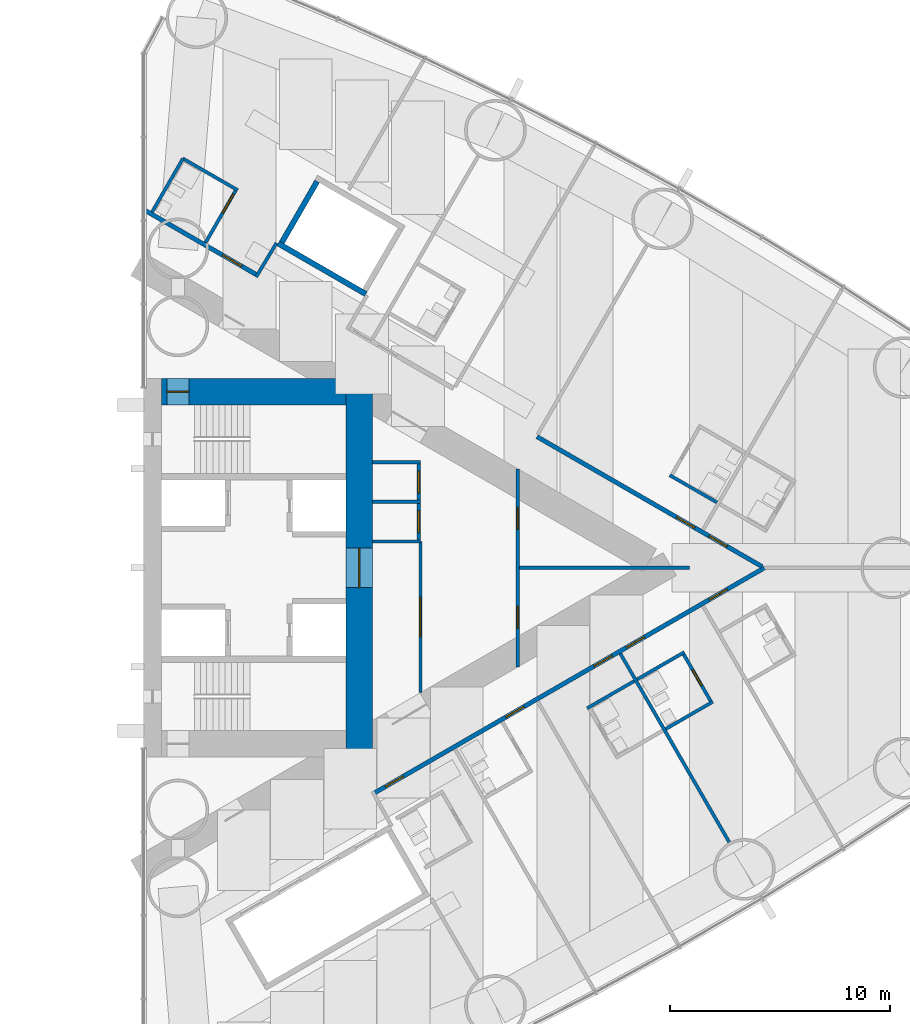
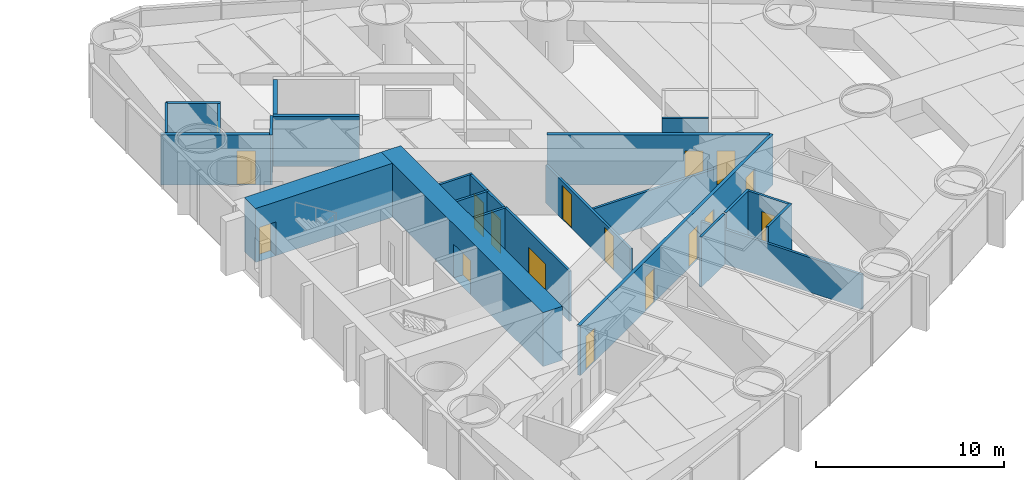
# One storey, part 14 of 18: 25 walls, 17 doors, 17 openings.
"""IFC4 building model written with IfcOpenShell, lengths in metres."""

import ifcopenshell
import ifcopenshell.guid

model = None  # the IFC model being written
_history = None  # IfcOwnerHistory: only IFC2X3 demands one
_inside = {}  # id of a spatial element -> (the spatial element, [elements in it])
_under = {}  # id of a project, library or spatial element -> (it, [spatial elements below it])
_declared = {}  # id of a project -> (the project, [libraries it declares])
_typed = {}  # id of a type object -> (the type object, [elements of that type])
_made_of = {}  # id of a material, layer set ... -> (it, [elements and type objects made of it])


def new_model(schema):
    """Start an empty IFC model of exactly this schema.

    Asked for "IFC4X3", IfcOpenShell would pick the latest addendum, in which some entities
    have other attributes; the version numbers below select the first issue.
    IFC2X3 requires an IfcOwnerHistory on every rooted entity: one is made here for all.
    """
    global model, _history
    if schema == "IFC4X3":
        model = ifcopenshell.file(schema_version=(4, 3, 0, 0))
    else:
        model = ifcopenshell.file(schema=schema)
    _inside.clear()
    _under.clear()
    _declared.clear()
    _typed.clear()
    _made_of.clear()
    _history = None
    if model.schema == "IFC2X3":
        org = make("IfcOrganization", Name="unknown")
        user = make(
            "IfcPersonAndOrganization",
            ThePerson=make("IfcPerson", FamilyName="unknown"),
            TheOrganization=org,
        )
        app = make(
            "IfcApplication",
            ApplicationDeveloper=org,
            Version="unknown",
            ApplicationFullName="unknown",
            ApplicationIdentifier="unknown",
        )
        _history = make(
            "IfcOwnerHistory",
            OwningUser=user,
            OwningApplication=app,
            ChangeAction="ADDED",
            CreationDate=0,
        )
    return model


def make(cls, **values):
    """One entity of the class cls with the attributes given. An attribute that is None is left unset."""
    return model.create_entity(
        cls, **{name: value for name, value in values.items() if value is not None}
    )


def rooted(cls, **values):
    """An entity with a GlobalId (a new one), such as an element, a storey or a relation."""
    return make(cls, GlobalId=ifcopenshell.guid.new(), OwnerHistory=_history, **values)


def si_unit(unit_type, name, prefix=None):
    """IfcSIUnit, for example si_unit("LENGTHUNIT", "METRE", prefix="MILLI")."""
    return make("IfcSIUnit", UnitType=unit_type, Prefix=prefix, Name=name)


def assignment(units):
    """IfcUnitAssignment: the units of a project."""
    return None if units is None else make("IfcUnitAssignment", Units=units)


def point(xyz):
    """IfcCartesianPoint."""
    return None if xyz is None else make("IfcCartesianPoint", Coordinates=xyz)


def direction(xyz):
    """IfcDirection."""
    return None if xyz is None else make("IfcDirection", DirectionRatios=xyz)


def frame(location, z_axis=None, x_axis=None):
    """IfcAxis2Placement3D, a coordinate frame: its origin and axes. An axis left out is left unset."""
    return make(
        "IfcAxis2Placement3D",
        Location=point(location),
        Axis=direction(z_axis),
        RefDirection=direction(x_axis),
    )


def frame_2d(location, x_axis=None):
    """IfcAxis2Placement2D, a coordinate frame in the plane: its origin and x axis."""
    return make(
        "IfcAxis2Placement2D", Location=point(location), RefDirection=direction(x_axis)
    )


def origin():
    """The frame at (0, 0, 0) with its axes left unset."""
    return frame((0.0, 0.0, 0.0))


def place(relative_to, where):
    """IfcLocalPlacement: puts the frame where relative to a parent placement (None: the world)."""
    return make(
        "IfcLocalPlacement", PlacementRelTo=relative_to, RelativePlacement=where
    )


def context(
    kind, dimensions, precision=None, world=None, true_north=None, identifier=None
):
    """IfcGeometricRepresentationContext, for example the 3D "Model" context."""
    return make(
        "IfcGeometricRepresentationContext",
        ContextIdentifier=identifier,
        ContextType=kind,
        CoordinateSpaceDimension=dimensions,
        Precision=precision,
        WorldCoordinateSystem=world,
        TrueNorth=true_north,
    )


def subcontext(parent, identifier, kind, view, scale=None):
    """IfcGeometricRepresentationSubContext, for example "Body" below "Model"."""
    return make(
        "IfcGeometricRepresentationSubContext",
        ContextIdentifier=identifier,
        ContextType=kind,
        ParentContext=parent,
        TargetScale=scale,
        TargetView=view,
    )


def project(units=None, contexts=None):
    """IfcProject with its units and contexts."""
    return rooted(
        "IfcProject",
        Name="project",
        RepresentationContexts=contexts,
        UnitsInContext=assignment(units),
    )


def spatial(cls, under=None, at=None, **own):
    """A site, building, storey or space (cls), placed at a placement, below another one or the project."""
    s = rooted(cls, ObjectPlacement=at, **own)
    if under is not None:
        _under.setdefault(under.id(), (under, []))[1].append(s)
    return s


def profile(cls, at=None, kind="AREA", **sizes):
    """A parametric profile (cls). Its sizes go by their IFC names, for example OverallWidth=200.0."""
    return make(cls, ProfileType=kind, Position=at, **sizes)


def rectangle(**sizes):
    """IfcRectangleProfileDef."""
    return profile("IfcRectangleProfileDef", **sizes)


def extrude(swept, where, along, depth):
    """IfcExtrudedAreaSolid: the profile swept, set in the frame where, extruded along a direction by depth."""
    return make(
        "IfcExtrudedAreaSolid",
        SweptArea=swept,
        Position=where,
        ExtrudedDirection=direction(along),
        Depth=depth,
    )


def shape(context_of_items, identifier, shape_type, items):
    """IfcShapeRepresentation: the items that make up one representation, for example the "Body"."""
    return make(
        "IfcShapeRepresentation",
        ContextOfItems=context_of_items,
        RepresentationIdentifier=identifier,
        RepresentationType=shape_type,
        Items=items,
    )


def material(Name=None, Category=None):
    """IfcMaterial."""
    return make("IfcMaterial", Name=Name, Category=Category)


def layer(
    of_material, thickness, ventilated=None, Name=None, Category=None, Priority=None
):
    """IfcMaterialLayer: one layer of a wall or slab, of a material (None: an air gap)."""
    return make(
        "IfcMaterialLayer",
        Material=of_material,
        LayerThickness=thickness,
        IsVentilated=ventilated,
        Name=Name,
        Category=Category,
        Priority=Priority,
    )


def layer_set(layers, Name=None):
    """IfcMaterialLayerSet."""
    return make("IfcMaterialLayerSet", MaterialLayers=layers, LayerSetName=Name)


def made_of(thing, what):
    """Note that an element or type object is made of a material, layer set ...; save() writes the relation."""
    if what is not None:
        _made_of.setdefault(what.id(), (what, []))[1].append(thing)
    return thing


def type_object(cls, material=None, **own):
    """A type object (cls), such as IfcWallType, which elements share."""
    return made_of(rooted(cls, **own), material)


def element(
    cls,
    number,
    at=None,
    inside=None,
    cuts=None,
    type_object=None,
    material=None,
    context=None,
    identifier="Body",
    shape_type=None,
    held_by="IfcProductDefinitionShape",
    body=None,
    shapes=None,
    **own,
):
    """One element of the class cls, such as IfcWall. Its Tag is "e" and its number.

    at: its placement. inside: the storey or other place that contains it. cuts: it is an
    opening in that element (IfcRelVoidsElement). A single representation is given by context,
    identifier, shape_type and body (its items); several are given by shapes. held_by: the class
    of the entity that holds the representations. save() writes the other relations.
    """
    e = rooted(cls, Tag="e%d" % number, ObjectPlacement=at, **own)
    if body is not None:
        shapes = [shape(context, identifier, shape_type, body)]
    if shapes is not None:
        e.Representation = make(held_by, Representations=shapes)
    if inside is not None:
        _inside.setdefault(inside.id(), (inside, []))[1].append(e)
    if cuts is not None:
        rooted(
            "IfcRelVoidsElement", RelatingBuildingElement=cuts, RelatedOpeningElement=e
        )
    if type_object is not None:
        _typed.setdefault(type_object.id(), (type_object, []))[1].append(e)
    return made_of(e, material)


def fill(opening, filler):
    """IfcRelFillsElement: the door or window that sits in an opening."""
    return rooted(
        "IfcRelFillsElement",
        RelatingOpeningElement=opening,
        RelatedBuildingElement=filler,
    )


def aggregate(whole, parts):
    """IfcRelAggregates: a whole, such as a stair, and the parts it consists of."""
    return rooted("IfcRelAggregates", RelatingObject=whole, RelatedObjects=parts)


def save(model, path):
    """Write the relations noted so far, then the file.

    IfcRelAggregates (storeys below a building ...), IfcRelContainedInSpatialStructure (elements
    in a storey), IfcRelDefinesByType, IfcRelAssociatesMaterial and IfcRelDeclares: one each for
    every whole, place, type object, material and project.
    """
    for whole, parts in _under.values():
        aggregate(whole, parts)
    for where, things in _inside.values():
        rooted(
            "IfcRelContainedInSpatialStructure",
            RelatedElements=things,
            RelatingStructure=where,
        )
    for kind, things in _typed.values():
        rooted("IfcRelDefinesByType", RelatedObjects=things, RelatingType=kind)
    for what, things in _made_of.values():
        rooted("IfcRelAssociatesMaterial", RelatedObjects=things, RelatingMaterial=what)
    for by, libraries in _declared.values():
        rooted("IfcRelDeclares", RelatingContext=by, RelatedDefinitions=libraries)
    model.write(path)


model = new_model("IFC4")

# Units and contexts
model_context = context("Model", 3, precision=1e-05, world=origin(), true_north=direction((0.0, 1.0)))
body_context = subcontext(model_context, "Body", "Model", "MODEL_VIEW")
ifc_project = project(units=[si_unit("LENGTHUNIT", "METRE"), si_unit("AREAUNIT", "SQUARE_METRE"), si_unit("VOLUMEUNIT", "CUBIC_METRE"), si_unit("PLANEANGLEUNIT", "RADIAN"), si_unit("MASSUNIT", "GRAM", prefix="KILO")], contexts=[model_context])

# Site, building, storey
site_placement = place(None, origin())
site = spatial("IfcSite", under=ifc_project, at=site_placement, CompositionType="ELEMENT")
building_placement = place(site_placement, origin())
building = spatial("IfcBuilding", under=site, at=building_placement, Name="Lancet Gate Hotel", CompositionType="ELEMENT")
storey_placement = place(building_placement, frame((0.0, 0.0, 49.5)))
storey = spatial("IfcBuildingStorey", under=building, at=storey_placement, Name="L12", CompositionType="ELEMENT", Elevation=49.5)

# Walls
ifc_material_1 = material(Name="Moisture resistant board partition")
ifc_layer_1 = layer(ifc_material_1, 0.14990234375)
ifc_layer_set_1 = layer_set([ifc_layer_1], Name="Bathroom wall 150")
wall_type_1 = type_object("IfcWallType", Name="Bathroom wall 150", PredefinedType="PARTITIONING", material=ifc_layer_set_1)
for number, where, z_axis, x_axis, name in (
    (1, (47.651123046875, -6.38037109375, 0.0), (0.0, 0.0, 1.0), (0.866031185235, 0.4999899861, 0.0), "T2 bathroom wall 150 L12"),
    (2, (51.224365234375, -7.319580078125, 0.0), (0.0, 0.0, 1.0), (0.866031185235, 0.4999899861, 0.0), "T2 bathroom wall 150 L12"),
):
    element("IfcWall", number, at=place(storey_placement, frame(where, z_axis=z_axis, x_axis=x_axis)), inside=storey, type_object=wall_type_1, Name=name, PredefinedType="PARTITIONING", context=body_context, shape_type="SweptSolid", body=[
        extrude(rectangle(XDim=2.47509765625, YDim=0.14990234375, at=frame_2d((1.237548828125, 0.0))), origin(), (0.0, 0.0, 1.0), 3.25),
    ])

# Wall, opening, door
wall_1_placement = place(storey_placement, frame((52.0029296875, -3.867919921875, 0.0), z_axis=(0.0, 0.0, 1.0), x_axis=(0.500047596559, -0.865997922154, 0.0)))
wall_1 = element("IfcWall", 3, at=wall_1_placement, inside=storey, type_object=wall_type_1, Name="T2 bathroom wall 150 L12", PredefinedType="PARTITIONING", context=body_context, shape_type="SweptSolid", body=[
    extrude(rectangle(XDim=2.599853515625, YDim=0.14990234375, at=frame_2d((1.2998046875, 0.0))), origin(), (0.0, 0.0, 1.0), 3.25),
])
opening_1_placement = place(wall_1_placement, frame((0.89990234375, 0.0, 0.0)))
opening_1 = element("IfcOpeningElement", 4, at=opening_1_placement, cuts=wall_1, Name="Opening 1256-B", PredefinedType="OPENING", context=body_context, shape_type="SweptSolid", body=[
    extrude(rectangle(XDim=0.800048828125, YDim=2.199951171875, at=frame_2d((0.39990234375, 1.10009765625))), frame((0.0, 0.0849609375, 0.0), z_axis=(0.0, -1.0, 0.0), x_axis=(1.0, 0.0, 0.0)), (0.0, 0.0, 1.0), 0.169921875),
])
ifc_material_2 = material(Name="Timber door set", Category="wood")
door_type_1 = type_object("IfcDoorType", Name="Bathroom door 800", OperationType="SINGLE_SWING_RIGHT", PredefinedType="DOOR", material=ifc_material_2)
door_1_placement = place(opening_1_placement, origin())
door_1 = element("IfcDoor", 5, at=door_1_placement, inside=storey, type_object=door_type_1, Name="1256-B", OperationType="SINGLE_SWING_RIGHT", OverallHeight=2.199951171875, OverallWidth=0.800048828125, PredefinedType="DOOR", context=body_context, shape_type="SweptSolid", body=[
    extrude(rectangle(XDim=0.800048828125, YDim=2.199951171875, at=frame_2d((0.39990234375, 1.10009765625))), frame((0.0, 0.02490234375, 0.0), z_axis=(0.0, -1.0, 0.0), x_axis=(1.0, 0.0, 0.0)), (0.0, 0.0, 1.0), 0.050048828125),
])
fill(opening_1, door_1)

# Walls
wall_2_placement = place(storey_placement, frame((49.924560546875, -5.06787109375, 0.0), z_axis=(0.0, 0.0, 1.0), x_axis=(0.866006523861, 0.500032699561, 0.0)))
element("IfcWall", 6, at=wall_2_placement, inside=storey, type_object=wall_type_1, Name="T2 bathroom wall 150 L12", PredefinedType="PARTITIONING", context=body_context, shape_type="SweptSolid", body=[
    extrude(rectangle(XDim=2.474853515625, YDim=0.14990234375, at=frame_2d((1.2373046875, 0.0))), origin(), (0.0, 0.0, 1.0), 3.25),
])
wall_3_placement = place(storey_placement, frame((51.40625, 4.21240234375, 0.0), z_axis=(0.0, 0.0, 1.0), x_axis=(0.866031185235, -0.4999899861, 0.0)))
element("IfcWall", 7, at=wall_3_placement, inside=storey, type_object=wall_type_1, Name="T2 bathroom wall 150 L12", PredefinedType="PARTITIONING", context=body_context, shape_type="SweptSolid", body=[
    extrude(rectangle(XDim=2.47509765625, YDim=0.14990234375, at=frame_2d((1.237548828125, 0.0))), origin(), (0.0, 0.0, 1.0), 3.25),
])
wall_4_placement = place(storey_placement, frame((29.281982421875, 18.6025390625, 0.0), z_axis=(0.0, 0.0, 1.0), x_axis=(0.866018712932, -0.500011588718, 0.0)))
element("IfcWall", 8, at=wall_4_placement, inside=storey, type_object=wall_type_1, Name="T2 bathroom wall 150 L12", PredefinedType="PARTITIONING", context=body_context, shape_type="SweptSolid", body=[
    extrude(rectangle(XDim=2.875, YDim=0.14990234375, at=frame_2d((1.4375, 0.0))), origin(), (0.0, 0.0, 1.0), 3.25),
])

# Wall, opening, door
wall_5_placement = place(storey_placement, frame((30.306640625, 14.777587890625, 0.0), z_axis=(0.0, 0.0, 1.0), x_axis=(0.500049511043, 0.865996816683, 0.0)))
wall_5 = element("IfcWall", 9, at=wall_5_placement, inside=storey, type_object=wall_type_1, Name="T2 bathroom wall 150 L12", PredefinedType="PARTITIONING", context=body_context, shape_type="SweptSolid", body=[
    extrude(rectangle(XDim=2.800048828125, YDim=0.14990234375, at=frame_2d((1.39990234375, 0.0))), origin(), (0.0, 0.0, 1.0), 3.25),
])
opening_2_placement = place(wall_5_placement, frame((1.550048828125, 0.0, 0.0)))
opening_2 = element("IfcOpeningElement", 10, at=opening_2_placement, cuts=wall_5, Name="Opening 1264-B", PredefinedType="OPENING", context=body_context, shape_type="SweptSolid", body=[
    extrude(rectangle(XDim=1.0, YDim=2.199951171875, at=frame_2d((0.5, 1.10009765625))), frame((0.0, 0.0849609375, 0.0), z_axis=(0.0, -1.0, 0.0), x_axis=(1.0, 0.0, 0.0)), (0.0, 0.0, 1.0), 0.169921875),
])
ifc_material_3 = material(Name="Timber door set", Category="wood")
door_type_2 = type_object("IfcDoorType", Name="Accessible en-suite door 1000", OperationType="SINGLE_SWING_RIGHT", PredefinedType="DOOR", material=ifc_material_3)
door_2_placement = place(opening_2_placement, origin())
door_2 = element("IfcDoor", 11, at=door_2_placement, inside=storey, type_object=door_type_2, Name="1264-B", OperationType="SINGLE_SWING_RIGHT", OverallHeight=2.199951171875, OverallWidth=1.0, PredefinedType="DOOR", context=body_context, shape_type="SweptSolid", body=[
    extrude(rectangle(XDim=1.0, YDim=2.199951171875, at=frame_2d((0.5, 1.10009765625))), frame((0.0, 0.02490234375, 0.0), z_axis=(0.0, -1.0, 0.0), x_axis=(1.0, 0.0, 0.0)), (0.0, 0.0, 1.0), 0.050048828125),
])
fill(opening_2, door_2)

# Wall
wall_6_placement = place(storey_placement, frame((27.8818359375, 16.177490234375, 0.0), z_axis=(0.0, 0.0, 1.0), x_axis=(0.500011755427, 0.866018616679, 0.0)))
element("IfcWall", 12, at=wall_6_placement, inside=storey, type_object=wall_type_1, Name="T2 bathroom wall 150 L12", PredefinedType="PARTITIONING", context=body_context, shape_type="SweptSolid", body=[
    extrude(rectangle(XDim=2.80029296875, YDim=0.14990234375, at=frame_2d((1.400146484375, 0.0))), origin(), (0.0, 0.0, 1.0), 3.25),
])

# Wall, opening, door
ifc_material_4 = material(Name="Concrete C70/85", Category="concrete")
ifc_layer_2 = layer(ifc_material_4, 1.199951171875)
ifc_layer_set_2 = layer_set([ifc_layer_2], Name="Core wall 1200")
wall_type_2 = type_object("IfcWallType", Name="Core wall 1200", PredefinedType="SHEAR", material=ifc_layer_set_2)
wall_7_placement = place(storey_placement, frame((37.300048828125, -8.60009765625, 0.0), z_axis=(0.0, 0.0, 1.0), x_axis=(0.0, 1.0, 0.0)))
wall_7 = element("IfcWall", 13, at=wall_7_placement, inside=storey, type_object=wall_type_2, Name="T2 core wall back L12", PredefinedType="SHEAR", context=body_context, shape_type="SweptSolid", body=[
    extrude(rectangle(XDim=17.2001953125, YDim=1.199951171875, at=frame_2d((8.60009765625, 0.0))), origin(), (0.0, 0.0, 1.0), 3.5),
])
opening_3_placement = place(wall_7_placement, frame((7.699951171875, 0.0, 0.0)))
opening_3 = element("IfcOpeningElement", 14, at=opening_3_placement, cuts=wall_7, Name="Opening T2-L12-LL", PredefinedType="OPENING", context=body_context, shape_type="SweptSolid", body=[
    extrude(rectangle(XDim=1.800048828125, YDim=2.199951171875, at=frame_2d((0.89990234375, 1.10009765625))), frame((0.0, 0.60986328125, 0.0), z_axis=(0.0, -1.0, 0.0), x_axis=(1.0, 0.0, 0.0)), (0.0, 0.0, 1.0), 1.219970703125),
])
ifc_material_5 = material(Name="Timber door set", Category="wood")
door_type_3 = type_object("IfcDoorType", Name="Lobby double door 1800", OperationType="DOUBLE_DOOR_SINGLE_SWING", PredefinedType="DOOR", material=ifc_material_5)
door_3_placement = place(opening_3_placement, origin())
door_3 = element("IfcDoor", 15, at=door_3_placement, inside=storey, type_object=door_type_3, Name="T2-L12-LL", OperationType="DOUBLE_DOOR_SINGLE_SWING", OverallHeight=2.199951171875, OverallWidth=1.800048828125, PredefinedType="DOOR", context=body_context, shape_type="SweptSolid", body=[
    extrude(rectangle(XDim=1.800048828125, YDim=2.199951171875, at=frame_2d((0.89990234375, 1.10009765625))), frame((0.0, 0.02490234375, 0.0), z_axis=(0.0, -1.0, 0.0), x_axis=(1.0, 0.0, 0.0)), (0.0, 0.0, 1.0), 0.050048828125),
])
fill(opening_3, door_3)

wall_8_placement = place(storey_placement, frame((28.300048828125, 8.0, 0.0), z_axis=(0.0, 0.0, 1.0), x_axis=(1.0, 0.0, 0.0)))
wall_8 = element("IfcWall", 16, at=wall_8_placement, inside=storey, type_object=wall_type_2, Name="T2 core wall side-N L12", PredefinedType="SHEAR", context=body_context, shape_type="SweptSolid", body=[
    extrude(rectangle(XDim=8.39990234375, YDim=1.199951171875, at=frame_2d((4.199951171875, 0.0))), origin(), (0.0, 0.0, 1.0), 3.5),
])
opening_4_placement = place(wall_8_placement, frame((0.25, 0.0, 0.0)))
opening_4 = element("IfcOpeningElement", 17, at=opening_4_placement, cuts=wall_8, Name="Opening T2-L12-ST2", PredefinedType="OPENING", context=body_context, shape_type="SweptSolid", body=[
    extrude(rectangle(XDim=1.0, YDim=2.199951171875, at=frame_2d((0.5, 1.10009765625))), frame((0.0, 0.60986328125, 0.0), z_axis=(0.0, -1.0, 0.0), x_axis=(1.0, 0.0, 0.0)), (0.0, 0.0, 1.0), 1.219970703125),
])
ifc_material_6 = material(Name="Timber door set", Category="wood")
door_type_4 = type_object("IfcDoorType", Name="Stair door 1000", OperationType="SINGLE_SWING_RIGHT", PredefinedType="DOOR", material=ifc_material_6)
door_4_placement = place(opening_4_placement, origin())
door_4 = element("IfcDoor", 18, at=door_4_placement, inside=storey, type_object=door_type_4, Name="T2-L12-ST2", OperationType="SINGLE_SWING_RIGHT", OverallHeight=2.199951171875, OverallWidth=1.0, PredefinedType="DOOR", context=body_context, shape_type="SweptSolid", body=[
    extrude(rectangle(XDim=1.0, YDim=2.199951171875, at=frame_2d((0.5, 1.10009765625))), frame((0.0, 0.02490234375, 0.0), z_axis=(0.0, -1.0, 0.0), x_axis=(1.0, 0.0, 0.0)), (0.0, 0.0, 1.0), 0.050048828125),
])
fill(opening_4, door_4)

# Wall, openings, doors
ifc_material_7 = material(Name="Gypsum board partition")
ifc_layer_3 = layer(ifc_material_7, 0.199951171875)
ifc_layer_set_3 = layer_set([ifc_layer_3], Name="Corridor wall 200")
wall_type_3 = type_object("IfcWallType", Name="Corridor wall 200", PredefinedType="PARTITIONING", material=ifc_layer_set_3)
wall_9_placement = place(storey_placement, frame((37.9599609375, -10.243408203125, 0.0), z_axis=(0.0, 0.0, 1.0), x_axis=(0.866026429433, 0.499998223521, 0.0)))
wall_9 = element("IfcWall", 19, at=wall_9_placement, inside=storey, type_object=wall_type_3, Name="T2 corridor wall 200 L12", PredefinedType="PARTITIONING", context=body_context, shape_type="SweptSolid", body=[
    extrude(rectangle(XDim=20.48681640625, YDim=0.199951171875, at=frame_2d((10.243408203125, 0.0))), origin(), (0.0, 0.0, 1.0), 3.25),
])
opening_5_placement = place(wall_9_placement, frame((6.925048828125, 0.0, 0.0)))
opening_5 = element("IfcOpeningElement", 20, at=opening_5_placement, cuts=wall_9, Name="Opening 1254-E", PredefinedType="OPENING", context=body_context, shape_type="SweptSolid", body=[
    extrude(rectangle(XDim=0.949951171875, YDim=2.199951171875, at=frame_2d((0.47509765625, 1.10009765625))), frame((0.0, 0.10986328125, 0.0), z_axis=(0.0, -1.0, 0.0), x_axis=(1.0, 0.0, 0.0)), (0.0, 0.0, 1.0), 0.219970703125),
])
opening_6_placement = place(wall_9_placement, frame((11.54931640625, 0.0, 0.0)))
opening_6 = element("IfcOpeningElement", 21, at=opening_6_placement, cuts=wall_9, Name="Opening 1255-E", PredefinedType="OPENING", context=body_context, shape_type="SweptSolid", body=[
    extrude(rectangle(XDim=0.949951171875, YDim=2.199951171875, at=frame_2d((0.47509765625, 1.10009765625))), frame((0.0, 0.10986328125, 0.0), z_axis=(0.0, -1.0, 0.0), x_axis=(1.0, 0.0, 0.0)), (0.0, 0.0, 1.0), 0.219970703125),
])
opening_7_placement = place(wall_9_placement, frame((13.249267578125, 0.0, 0.0)))
opening_7 = element("IfcOpeningElement", 22, at=opening_7_placement, cuts=wall_9, Name="Opening 1256-E", PredefinedType="OPENING", context=body_context, shape_type="SweptSolid", body=[
    extrude(rectangle(XDim=0.949951171875, YDim=2.199951171875, at=frame_2d((0.47509765625, 1.10009765625))), frame((0.0, 0.10986328125, 0.0), z_axis=(0.0, -1.0, 0.0), x_axis=(1.0, 0.0, 0.0)), (0.0, 0.0, 1.0), 0.219970703125),
])
opening_8_placement = place(wall_9_placement, frame((17.58544921875, 0.0, 0.0)))
opening_8 = element("IfcOpeningElement", 23, at=opening_8_placement, cuts=wall_9, Name="Opening 1257-E", PredefinedType="OPENING", context=body_context, shape_type="SweptSolid", body=[
    extrude(rectangle(XDim=0.949951171875, YDim=2.199951171875, at=frame_2d((0.47509765625, 1.10009765625))), frame((0.0, 0.10986328125, 0.0), z_axis=(0.0, -1.0, 0.0), x_axis=(1.0, 0.0, 0.0)), (0.0, 0.0, 1.0), 0.219970703125),
])
opening_9_placement = place(wall_9_placement, frame((0.60009765625, 0.0, 0.0)))
opening_9 = element("IfcOpeningElement", 24, at=opening_9_placement, cuts=wall_9, Name="Opening 1253-E", PredefinedType="OPENING", context=body_context, shape_type="SweptSolid", body=[
    extrude(rectangle(XDim=0.949951171875, YDim=2.199951171875, at=frame_2d((0.47509765625, 1.10009765625))), frame((0.0, 0.10986328125, 0.0), z_axis=(0.0, -1.0, 0.0), x_axis=(1.0, 0.0, 0.0)), (0.0, 0.0, 1.0), 0.219970703125),
])
ifc_material_8 = material(Name="Timber door set", Category="wood")
door_type_5 = type_object("IfcDoorType", Name="Guest room entry door 950", OperationType="SINGLE_SWING_LEFT", PredefinedType="DOOR", material=ifc_material_8)
door_5_placement = place(opening_5_placement, origin())
door_5 = element("IfcDoor", 25, at=door_5_placement, inside=storey, type_object=door_type_5, Name="1254-E", OperationType="SINGLE_SWING_LEFT", OverallHeight=2.199951171875, OverallWidth=0.949951171875, PredefinedType="DOOR", context=body_context, shape_type="SweptSolid", body=[
    extrude(rectangle(XDim=0.949951171875, YDim=2.199951171875, at=frame_2d((0.47509765625, 1.10009765625))), frame((0.0, 0.02490234375, 0.0), z_axis=(0.0, -1.0, 0.0), x_axis=(1.0, 0.0, 0.0)), (0.0, 0.0, 1.0), 0.050048828125),
])
fill(opening_5, door_5)
door_6_placement = place(opening_6_placement, origin())
door_6 = element("IfcDoor", 26, at=door_6_placement, inside=storey, type_object=door_type_5, Name="1255-E", OperationType="SINGLE_SWING_LEFT", OverallHeight=2.199951171875, OverallWidth=0.949951171875, PredefinedType="DOOR", context=body_context, shape_type="SweptSolid", body=[
    extrude(rectangle(XDim=0.949951171875, YDim=2.199951171875, at=frame_2d((0.47509765625, 1.10009765625))), frame((0.0, 0.02490234375, 0.0), z_axis=(0.0, -1.0, 0.0), x_axis=(1.0, 0.0, 0.0)), (0.0, 0.0, 1.0), 0.050048828125),
])
fill(opening_6, door_6)
door_7_placement = place(opening_7_placement, origin())
door_7 = element("IfcDoor", 27, at=door_7_placement, inside=storey, type_object=door_type_5, Name="1256-E", OperationType="SINGLE_SWING_LEFT", OverallHeight=2.199951171875, OverallWidth=0.949951171875, PredefinedType="DOOR", context=body_context, shape_type="SweptSolid", body=[
    extrude(rectangle(XDim=0.949951171875, YDim=2.199951171875, at=frame_2d((0.47509765625, 1.10009765625))), frame((0.0, 0.02490234375, 0.0), z_axis=(0.0, -1.0, 0.0), x_axis=(1.0, 0.0, 0.0)), (0.0, 0.0, 1.0), 0.050048828125),
])
fill(opening_7, door_7)
door_8_placement = place(opening_8_placement, origin())
door_8 = element("IfcDoor", 28, at=door_8_placement, inside=storey, type_object=door_type_5, Name="1257-E", OperationType="SINGLE_SWING_LEFT", OverallHeight=2.199951171875, OverallWidth=0.949951171875, PredefinedType="DOOR", context=body_context, shape_type="SweptSolid", body=[
    extrude(rectangle(XDim=0.949951171875, YDim=2.199951171875, at=frame_2d((0.47509765625, 1.10009765625))), frame((0.0, 0.02490234375, 0.0), z_axis=(0.0, -1.0, 0.0), x_axis=(1.0, 0.0, 0.0)), (0.0, 0.0, 1.0), 0.050048828125),
])
fill(opening_8, door_8)
door_9_placement = place(opening_9_placement, origin())
door_9 = element("IfcDoor", 29, at=door_9_placement, inside=storey, type_object=door_type_5, Name="1253-E", OperationType="SINGLE_SWING_LEFT", OverallHeight=2.199951171875, OverallWidth=0.949951171875, PredefinedType="DOOR", context=body_context, shape_type="SweptSolid", body=[
    extrude(rectangle(XDim=0.949951171875, YDim=2.199951171875, at=frame_2d((0.47509765625, 1.10009765625))), frame((0.0, 0.02490234375, 0.0), z_axis=(0.0, -1.0, 0.0), x_axis=(1.0, 0.0, 0.0)), (0.0, 0.0, 1.0), 0.050048828125),
])
fill(opening_9, door_9)

# Wall, opening, door
wall_10_placement = place(storey_placement, frame((27.572021484375, 16.240966796875, 0.0), z_axis=(0.0, 0.0, 1.0), x_axis=(0.866032814021, -0.499987164874, 0.0)))
wall_10 = element("IfcWall", 30, at=wall_10_placement, inside=storey, type_object=wall_type_3, Name="T2 corridor wall 200 L12", PredefinedType="PARTITIONING", context=body_context, shape_type="SweptSolid", body=[
    extrude(rectangle(XDim=5.854736328125, YDim=0.199951171875, at=frame_2d((2.92724609375, 0.0))), origin(), (0.0, 0.0, 1.0), 3.25),
])
opening_10_placement = place(wall_10_placement, frame((4.050048828125, 0.0, 0.0)))
opening_10 = element("IfcOpeningElement", 31, at=opening_10_placement, cuts=wall_10, Name="Opening 1264-E", PredefinedType="OPENING", context=body_context, shape_type="SweptSolid", body=[
    extrude(rectangle(XDim=1.0, YDim=2.199951171875, at=frame_2d((0.5, 1.10009765625))), frame((0.0, 0.10986328125, 0.0), z_axis=(0.0, -1.0, 0.0), x_axis=(1.0, 0.0, 0.0)), (0.0, 0.0, 1.0), 0.219970703125),
])
ifc_material_9 = material(Name="Timber door set", Category="wood")
door_type_6 = type_object("IfcDoorType", Name="Accessible guest room door 1000", OperationType="SINGLE_SWING_LEFT", PredefinedType="DOOR", material=ifc_material_9)
door_10_placement = place(opening_10_placement, origin())
door_10 = element("IfcDoor", 32, at=door_10_placement, inside=storey, type_object=door_type_6, Name="1264-E", OperationType="SINGLE_SWING_LEFT", OverallHeight=2.199951171875, OverallWidth=1.0, PredefinedType="DOOR", context=body_context, shape_type="SweptSolid", body=[
    extrude(rectangle(XDim=1.0, YDim=2.199951171875, at=frame_2d((0.5, 1.10009765625))), frame((0.0, 0.02490234375, 0.0), z_axis=(0.0, -1.0, 0.0), x_axis=(1.0, 0.0, 0.0)), (0.0, 0.0, 1.0), 0.050048828125),
])
fill(opening_10, door_10)

# Wall, openings, doors
wall_11_placement = place(storey_placement, frame((45.37451171875, 5.962646484375, 0.0), z_axis=(0.0, 0.0, 1.0), x_axis=(0.86603164725, -0.499989185844, 0.0)))
wall_11 = element("IfcWall", 33, at=wall_11_placement, inside=storey, type_object=wall_type_3, Name="T2 corridor wall 200 L12", PredefinedType="PARTITIONING", context=body_context, shape_type="SweptSolid", body=[
    extrude(rectangle(XDim=11.805419921875, YDim=0.199951171875, at=frame_2d((5.90283203125, 0.0))), origin(), (0.0, 0.0, 1.0), 3.25),
])
opening_11_placement = place(wall_11_placement, frame((9.023681640625, 0.0, 0.0)))
opening_11 = element("IfcOpeningElement", 34, at=opening_11_placement, cuts=wall_11, Name="Opening 1258-E", PredefinedType="OPENING", context=body_context, shape_type="SweptSolid", body=[
    extrude(rectangle(XDim=0.949951171875, YDim=2.199951171875, at=frame_2d((0.47509765625, 1.10009765625))), frame((0.0, 0.10986328125, 0.0), z_axis=(0.0, -1.0, 0.0), x_axis=(1.0, 0.0, 0.0)), (0.0, 0.0, 1.0), 0.219970703125),
])
opening_12_placement = place(wall_11_placement, frame((7.32373046875, 0.0, 0.0)))
opening_12 = element("IfcOpeningElement", 35, at=opening_12_placement, cuts=wall_11, Name="Opening 1259-E", PredefinedType="OPENING", context=body_context, shape_type="SweptSolid", body=[
    extrude(rectangle(XDim=0.949951171875, YDim=2.199951171875, at=frame_2d((0.47509765625, 1.10009765625))), frame((0.0, 0.10986328125, 0.0), z_axis=(0.0, -1.0, 0.0), x_axis=(1.0, 0.0, 0.0)), (0.0, 0.0, 1.0), 0.219970703125),
])
door_11_placement = place(opening_11_placement, origin())
door_11 = element("IfcDoor", 36, at=door_11_placement, inside=storey, type_object=door_type_5, Name="1258-E", OperationType="SINGLE_SWING_LEFT", OverallHeight=2.199951171875, OverallWidth=0.949951171875, PredefinedType="DOOR", context=body_context, shape_type="SweptSolid", body=[
    extrude(rectangle(XDim=0.949951171875, YDim=2.199951171875, at=frame_2d((0.47509765625, 1.10009765625))), frame((0.0, 0.02490234375, 0.0), z_axis=(0.0, -1.0, 0.0), x_axis=(1.0, 0.0, 0.0)), (0.0, 0.0, 1.0), 0.050048828125),
])
fill(opening_11, door_11)
door_12_placement = place(opening_12_placement, origin())
door_12 = element("IfcDoor", 37, at=door_12_placement, inside=storey, type_object=door_type_5, Name="1259-E", OperationType="SINGLE_SWING_LEFT", OverallHeight=2.199951171875, OverallWidth=0.949951171875, PredefinedType="DOOR", context=body_context, shape_type="SweptSolid", body=[
    extrude(rectangle(XDim=0.949951171875, YDim=2.199951171875, at=frame_2d((0.47509765625, 1.10009765625))), frame((0.0, 0.02490234375, 0.0), z_axis=(0.0, -1.0, 0.0), x_axis=(1.0, 0.0, 0.0)), (0.0, 0.0, 1.0), 0.050048828125),
])
fill(opening_12, door_12)

# Walls
ifc_material_10 = material(Name="Gypsum board partition")
ifc_layer_4 = layer(ifc_material_10, 0.25)
ifc_layer_set_4 = layer_set([ifc_layer_4], Name="Lift shaft partition 250")
wall_type_4 = type_object("IfcWallType", Name="Lift shaft partition 250", PredefinedType="PARTITIONING", material=ifc_layer_set_4)
wall_12_placement = place(storey_placement, frame((33.6083984375, 14.747314453125, 0.0), z_axis=(0.0, 0.0, 1.0), x_axis=(0.866043305498, -0.49996899204, 0.0)))
element("IfcWall", 38, at=wall_12_placement, inside=storey, type_object=wall_type_4, Name="T2 lift shaft wall EX L12", PredefinedType="PARTITIONING", context=body_context, shape_type="SweptSolid", body=[
    extrude(rectangle(XDim=4.600341796875, YDim=0.25, at=frame_2d((2.30029296875, 0.0))), origin(), (0.0, 0.0, 1.0), 3.25),
])
wall_13_placement = place(storey_placement, frame((33.779296875, 14.79296875, 0.0), z_axis=(0.0, 0.0, 1.0), x_axis=(0.499929347863, 0.866066190972, 0.0)))
element("IfcWall", 39, at=wall_13_placement, inside=storey, type_object=wall_type_4, Name="T2 lift shaft wall EX L12", PredefinedType="PARTITIONING", context=body_context, shape_type="SweptSolid", body=[
    extrude(rectangle(XDim=3.20068359375, YDim=0.25, at=frame_2d((1.600341796875, 0.0))), origin(), (0.0, 0.0, 1.0), 3.25),
])
ifc_material_11 = material(Name="Gypsum board partition")
ifc_layer_5 = layer(ifc_material_11, 0.14990234375)
ifc_layer_set_5 = layer_set([ifc_layer_5], Name="Party wall 150")
wall_type_5 = type_object("IfcWallType", Name="Party wall 150", PredefinedType="PARTITIONING", material=ifc_layer_set_5)
wall_14_placement = place(storey_placement, frame((49.159423828125, -3.892822265625, 0.0), z_axis=(0.0, 0.0, 1.0), x_axis=(0.499998773722, -0.866026111775, 0.0)))
element("IfcWall", 40, at=wall_14_placement, inside=storey, type_object=wall_type_5, Name="T2 party wall 150 L12", PredefinedType="PARTITIONING", context=body_context, shape_type="SweptSolid", body=[
    extrude(rectangle(XDim=9.8916015625, YDim=0.14990234375, at=frame_2d((4.94580078125, 0.0))), origin(), (0.0, 0.0, 1.0), 2.25),
])
ifc_material_12 = material(Name="Gypsum board partition")
ifc_layer_6 = layer(ifc_material_12, 0.14990234375)
ifc_layer_set_6 = layer_set([ifc_layer_6], Name="Service room wall 150")
wall_type_6 = type_object("IfcWallType", Name="Service room wall 150", PredefinedType="PARTITIONING", material=ifc_layer_set_6)
wall_15_placement = place(storey_placement, frame((33.533447265625, 14.767333984375, 0.0), z_axis=(0.0, 0.0, 1.0), x_axis=(-0.514296815006, -0.857612258585, 0.0)))
element("IfcWall", 41, at=wall_15_placement, inside=storey, type_object=wall_type_6, Name="T2 service room wall 150 L12", PredefinedType="PARTITIONING", context=body_context, shape_type="SweptSolid", body=[
    extrude(rectangle(XDim=1.804931640625, YDim=0.14990234375, at=frame_2d((0.90234375, 0.0))), origin(), (0.0, 0.0, 1.0), 3.25),
])
for number, where, z_axis, x_axis, name in (
    (42, (37.89990234375, 1.199951171875, 0.0), (0.0, 0.0, 1.0), (1.0, 0.0, 0.0), "T2 service room wall 150 L12"),
    (43, (37.89990234375, 3.0, 0.0), (0.0, 0.0, 1.0), (1.0, 0.0, 0.0), "T2 service room wall 150 L12"),
    (44, (37.89990234375, 4.800048828125, 0.0), (0.0, 0.0, 1.0), (1.0, 0.0, 0.0), "T2 service room wall 150 L12"),
):
    element("IfcWall", number, at=place(storey_placement, frame(where, z_axis=z_axis, x_axis=x_axis)), inside=storey, type_object=wall_type_6, Name=name, PredefinedType="PARTITIONING", context=body_context, shape_type="SweptSolid", body=[
        extrude(rectangle(XDim=2.175048828125, YDim=0.14990234375, at=frame_2d((1.08740234375, 0.0))), origin(), (0.0, 0.0, 1.0), 3.25),
    ])

# Wall, opening, door
wall_16_placement = place(storey_placement, frame((40.0, 1.125, 0.0), z_axis=(0.0, 0.0, 1.0), x_axis=(0.0, 1.0, 0.0)))
wall_16 = element("IfcWall", 45, at=wall_16_placement, inside=storey, type_object=wall_type_6, Name="T2 service room wall 150 L12", PredefinedType="PARTITIONING", context=body_context, shape_type="SweptSolid", body=[
    extrude(rectangle(XDim=1.949951171875, YDim=0.14990234375, at=frame_2d((0.97509765625, 0.0))), origin(), (0.0, 0.0, 1.0), 3.25),
])
opening_13_placement = place(wall_16_placement, frame((0.47509765625, 0.0, 0.0)))
opening_13 = element("IfcOpeningElement", 46, at=opening_13_placement, cuts=wall_16, Name="Opening T2-L12-HRN0", PredefinedType="OPENING", context=body_context, shape_type="SweptSolid", body=[
    extrude(rectangle(XDim=1.0, YDim=2.199951171875, at=frame_2d((0.5, 1.10009765625))), frame((0.0, 0.0849609375, 0.0), z_axis=(0.0, -1.0, 0.0), x_axis=(1.0, 0.0, 0.0)), (0.0, 0.0, 1.0), 0.169921875),
])
ifc_material_13 = material(Name="Timber door set", Category="wood")
door_type_7 = type_object("IfcDoorType", Name="Service door 1000", OperationType="SINGLE_SWING_LEFT", PredefinedType="DOOR", material=ifc_material_13)
door_13_placement = place(opening_13_placement, origin())
door_13 = element("IfcDoor", 47, at=door_13_placement, inside=storey, type_object=door_type_7, Name="T2-L12-HRN0", OperationType="SINGLE_SWING_LEFT", OverallHeight=2.199951171875, OverallWidth=1.0, PredefinedType="DOOR", context=body_context, shape_type="SweptSolid", body=[
    extrude(rectangle(XDim=1.0, YDim=2.199951171875, at=frame_2d((0.5, 1.10009765625))), frame((0.0, 0.02490234375, 0.0), z_axis=(0.0, -1.0, 0.0), x_axis=(1.0, 0.0, 0.0)), (0.0, 0.0, 1.0), 0.050048828125),
])
fill(opening_13, door_13)

wall_17_placement = place(storey_placement, frame((40.0, 2.925048828125, 0.0), z_axis=(0.0, 0.0, 1.0), x_axis=(0.0, 1.0, 0.0)))
wall_17 = element("IfcWall", 48, at=wall_17_placement, inside=storey, type_object=wall_type_6, Name="T2 service room wall 150 L12", PredefinedType="PARTITIONING", context=body_context, shape_type="SweptSolid", body=[
    extrude(rectangle(XDim=1.949951171875, YDim=0.14990234375, at=frame_2d((0.97509765625, 0.0))), origin(), (0.0, 0.0, 1.0), 3.25),
])
opening_14_placement = place(wall_17_placement, frame((0.47509765625, 0.0, 0.0)))
opening_14 = element("IfcOpeningElement", 49, at=opening_14_placement, cuts=wall_17, Name="Opening T2-L12-HRN1", PredefinedType="OPENING", context=body_context, shape_type="SweptSolid", body=[
    extrude(rectangle(XDim=1.0, YDim=2.199951171875, at=frame_2d((0.5, 1.10009765625))), frame((0.0, 0.0849609375, 0.0), z_axis=(0.0, -1.0, 0.0), x_axis=(1.0, 0.0, 0.0)), (0.0, 0.0, 1.0), 0.169921875),
])
door_14_placement = place(opening_14_placement, origin())
door_14 = element("IfcDoor", 50, at=door_14_placement, inside=storey, type_object=door_type_7, Name="T2-L12-HRN1", OperationType="SINGLE_SWING_LEFT", OverallHeight=2.199951171875, OverallWidth=1.0, PredefinedType="DOOR", context=body_context, shape_type="SweptSolid", body=[
    extrude(rectangle(XDim=1.0, YDim=2.199951171875, at=frame_2d((0.5, 1.10009765625))), frame((0.0, 0.02490234375, 0.0), z_axis=(0.0, -1.0, 0.0), x_axis=(1.0, 0.0, 0.0)), (0.0, 0.0, 1.0), 0.050048828125),
])
fill(opening_14, door_14)

wall_18_placement = place(storey_placement, frame((40.074951171875, -5.673828125, 0.0), z_axis=(0.0, 0.0, 1.0), x_axis=(0.0, 1.0, 0.0)))
wall_18 = element("IfcWall", 51, at=wall_18_placement, inside=storey, type_object=wall_type_6, Name="T2 service room wall 150 L12", PredefinedType="PARTITIONING", context=body_context, shape_type="SweptSolid", body=[
    extrude(rectangle(XDim=6.873779296875, YDim=0.14990234375, at=frame_2d((3.43701171875, 0.0))), origin(), (0.0, 0.0, 1.0), 3.25),
])
opening_15_placement = place(wall_18_placement, frame((2.536865234375, 0.0, 0.0)))
opening_15 = element("IfcOpeningElement", 52, at=opening_15_placement, cuts=wall_18, Name="Opening T2-L12-LH", PredefinedType="OPENING", context=body_context, shape_type="SweptSolid", body=[
    extrude(rectangle(XDim=1.800048828125, YDim=2.199951171875, at=frame_2d((0.89990234375, 1.10009765625))), frame((0.0, 0.0849609375, 0.0), z_axis=(0.0, -1.0, 0.0), x_axis=(1.0, 0.0, 0.0)), (0.0, 0.0, 1.0), 0.169921875),
])
door_15_placement = place(opening_15_placement, origin())
door_15 = element("IfcDoor", 53, at=door_15_placement, inside=storey, type_object=door_type_3, Name="T2-L12-LH", OperationType="DOUBLE_DOOR_SINGLE_SWING", OverallHeight=2.199951171875, OverallWidth=1.800048828125, PredefinedType="DOOR", context=body_context, shape_type="SweptSolid", body=[
    extrude(rectangle(XDim=1.800048828125, YDim=2.199951171875, at=frame_2d((0.89990234375, 1.10009765625))), frame((0.0, 0.02490234375, 0.0), z_axis=(0.0, -1.0, 0.0), x_axis=(1.0, 0.0, 0.0)), (0.0, 0.0, 1.0), 0.050048828125),
])
fill(opening_15, door_15)

# Wall, openings, doors
wall_19_placement = place(storey_placement, frame((44.5, -4.504638671875, 0.0), z_axis=(0.0, 0.0, 1.0), x_axis=(0.0, 1.0, 0.0)))
wall_19 = element("IfcWall", 54, at=wall_19_placement, inside=storey, type_object=wall_type_6, Name="T2 service room wall 150 L12", PredefinedType="PARTITIONING", context=body_context, shape_type="SweptSolid", body=[
    extrude(rectangle(XDim=9.00927734375, YDim=0.14990234375, at=frame_2d((4.504638671875, 0.0))), origin(), (0.0, 0.0, 1.0), 2.449951171875),
])
opening_16_placement = place(wall_19_placement, frame((1.752197265625, 0.0, 0.0)))
opening_16 = element("IfcOpeningElement", 55, at=opening_16_placement, cuts=wall_19, Name="Opening T2-L12-SV", PredefinedType="OPENING", context=body_context, shape_type="SweptSolid", body=[
    extrude(rectangle(XDim=1.0, YDim=2.199951171875, at=frame_2d((0.5, 1.10009765625))), frame((0.0, 0.0849609375, 0.0), z_axis=(0.0, -1.0, 0.0), x_axis=(1.0, 0.0, 0.0)), (0.0, 0.0, 1.0), 0.169921875),
])
opening_17_placement = place(wall_19_placement, frame((6.2568359375, 0.0, 0.0)))
opening_17 = element("IfcOpeningElement", 56, at=opening_17_placement, cuts=wall_19, Name="Opening T2-L12-SV2", PredefinedType="OPENING", context=body_context, shape_type="SweptSolid", body=[
    extrude(rectangle(XDim=1.0, YDim=2.199951171875, at=frame_2d((0.5, 1.10009765625))), frame((0.0, 0.0849609375, 0.0), z_axis=(0.0, -1.0, 0.0), x_axis=(1.0, 0.0, 0.0)), (0.0, 0.0, 1.0), 0.169921875),
])
door_16_placement = place(opening_16_placement, origin())
door_16 = element("IfcDoor", 57, at=door_16_placement, inside=storey, type_object=door_type_7, Name="T2-L12-SV", OperationType="SINGLE_SWING_LEFT", OverallHeight=2.199951171875, OverallWidth=1.0, PredefinedType="DOOR", context=body_context, shape_type="SweptSolid", body=[
    extrude(rectangle(XDim=1.0, YDim=2.199951171875, at=frame_2d((0.5, 1.10009765625))), frame((0.0, 0.02490234375, 0.0), z_axis=(0.0, -1.0, 0.0), x_axis=(1.0, 0.0, 0.0)), (0.0, 0.0, 1.0), 0.050048828125),
])
fill(opening_16, door_16)
door_17_placement = place(opening_17_placement, origin())
door_17 = element("IfcDoor", 58, at=door_17_placement, inside=storey, type_object=door_type_7, Name="T2-L12-SV2", OperationType="SINGLE_SWING_LEFT", OverallHeight=2.199951171875, OverallWidth=1.0, PredefinedType="DOOR", context=body_context, shape_type="SweptSolid", body=[
    extrude(rectangle(XDim=1.0, YDim=2.199951171875, at=frame_2d((0.5, 1.10009765625))), frame((0.0, 0.02490234375, 0.0), z_axis=(0.0, -1.0, 0.0), x_axis=(1.0, 0.0, 0.0)), (0.0, 0.0, 1.0), 0.050048828125),
])
fill(opening_17, door_17)

# Wall
wall_20_placement = place(storey_placement, frame((44.574951171875, 0.0, 0.0), z_axis=(0.0, 0.0, 1.0), x_axis=(1.0, 0.0, 0.0)))
element("IfcWall", 59, at=wall_20_placement, inside=storey, type_object=wall_type_6, Name="T2 service room wall 150 L12", PredefinedType="PARTITIONING", context=body_context, shape_type="SweptSolid", body=[
    extrude(rectangle(XDim=7.727294921875, YDim=0.14990234375, at=frame_2d((3.86376953125, 0.0))), origin(), (0.0, 0.0, 1.0), 2.25),
])

save(model, "model.ifc")
